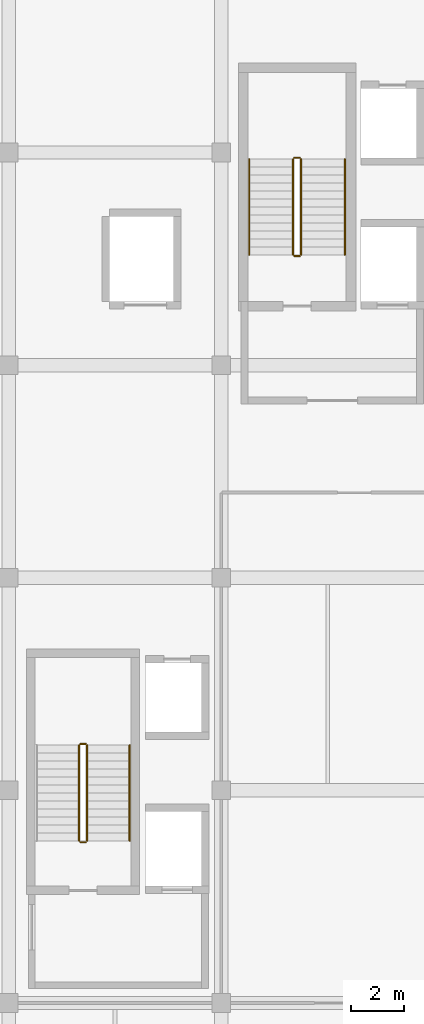
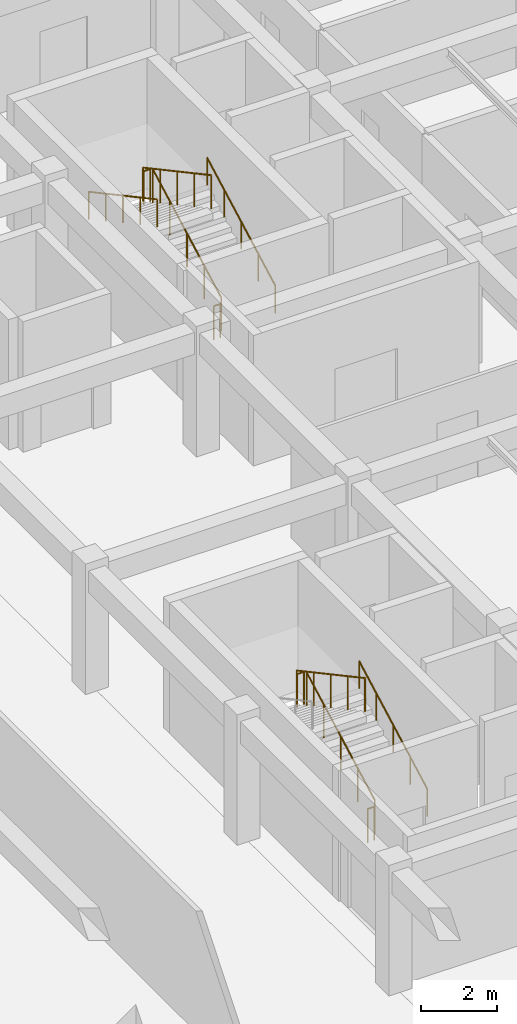
# One storey, part 65 of 67: 11 railings.
"""IFC4 building model written with IfcOpenShell, lengths in metres."""

from ifc_helpers import new_model, si_unit, direction, frame, origin, origin_2d, place, context, subcontext, project, spatial, circle, extrude, material, type_object, element, save


model = new_model("IFC4")

# Units and contexts
model_context = context("Model", 3, precision=1e-05, world=origin(), true_north=direction((0.0, 1.0)))
body_context = subcontext(model_context, "Body", "Model", "MODEL_VIEW")
ifc_project = project(units=[si_unit("LENGTHUNIT", "METRE"), si_unit("AREAUNIT", "SQUARE_METRE"), si_unit("VOLUMEUNIT", "CUBIC_METRE"), si_unit("PLANEANGLEUNIT", "RADIAN"), si_unit("MASSUNIT", "GRAM", prefix="KILO")], contexts=[model_context])

# Site, building, storey
site_placement = place(None, origin())
site = spatial("IfcSite", under=ifc_project, at=site_placement, CompositionType="ELEMENT")
building_placement = place(site_placement, origin())
building = spatial("IfcBuilding", under=site, at=building_placement, Name="Kenh Van Central Station", CompositionType="ELEMENT")
storey_placement = place(building_placement, frame((0.0, 0.0, 10.800048828125)))
storey = spatial("IfcBuildingStorey", under=building, at=storey_placement, Name="L02", CompositionType="ELEMENT", Elevation=10.800048828125)

# Railings
ifc_material = material(Name="Champagne anodised aluminium", Category="aluminium")
railing_type_1 = type_object("IfcRailingType", Name="RAIL-CORE-GRD110", PredefinedType="GUARDRAIL", material=ifc_material)
railing_1_placement = place(storey_placement, frame((154.949951171875, 30.10009765625, 0.161376953125)))
element("IfcRailing", 1, at=railing_1_placement, inside=storey, type_object=railing_type_1, Name="L02 ST-09 stair guard 1", PredefinedType="GUARDRAIL", context=body_context, shape_type="SweptSolid", body=[
    extrude(circle(Radius=0.02392578125, at=origin_2d()), frame((0.0, 0.0, 1.076171875), z_axis=(0.0, 0.880461512865, 0.474117627138), x_axis=(-1.0, 0.0, 0.0)), (0.0, 0.0, 1.0), 4.088623046875),
    extrude(circle(Radius=0.02099609375, at=origin_2d()), origin(), (0.0, 0.0, 1.0), 1.052001953125),
    extrude(circle(Radius=0.02099609375, at=origin_2d()), frame((0.0, 0.89990234375, 0.484619140625)), (0.0, 0.0, 1.0), 1.052001953125),
    extrude(circle(Radius=0.02099609375, at=origin_2d()), frame((0.0, 1.7998046875, 0.96923828125)), (0.0, 0.0, 1.0), 1.052001953125),
    extrude(circle(Radius=0.02099609375, at=origin_2d()), frame((0.0, 2.699951171875, 1.453857421875)), (0.0, 0.0, 1.0), 1.052001953125),
    extrude(circle(Radius=0.02099609375, at=origin_2d()), frame((0.0, 3.599853515625, 1.9384765625)), (0.0, 0.0, 1.0), 1.052001953125),
])
railing_2_placement = place(storey_placement, frame((154.89990234375, 33.75, 2.099853515625)))
element("IfcRailing", 2, at=railing_2_placement, inside=storey, type_object=railing_type_1, Name="L02 ST-09 stair guard 2", PredefinedType="GUARDRAIL", context=body_context, shape_type="SweptSolid", body=[
    extrude(circle(Radius=0.02392578125, at=origin_2d()), frame((0.0, 0.0, 1.076171875), z_axis=(-1.0, 0.0, 0.0), x_axis=(0.0, -1.0, 0.0)), (0.0, 0.0, 1.0), 0.199951171875),
    extrude(circle(Radius=0.02099609375, at=origin_2d()), origin(), (0.0, 0.0, 1.0), 1.052001953125),
    extrude(circle(Radius=0.02099609375, at=origin_2d()), frame((-0.199951171875, 0.0, 0.0)), (0.0, 0.0, 1.0), 1.052001953125),
])
railing_3_placement = place(storey_placement, frame((154.64990234375, 33.699951171875, 2.261474609375)))
element("IfcRailing", 3, at=railing_3_placement, inside=storey, type_object=railing_type_1, Name="L02 ST-09 stair guard 3", PredefinedType="GUARDRAIL", context=body_context, shape_type="SweptSolid", body=[
    extrude(circle(Radius=0.02392578125, at=origin_2d()), frame((0.0, 0.0, 1.076171875), z_axis=(0.0, -0.880461512865, 0.474117627138), x_axis=(1.0, 0.0, 0.0)), (0.0, 0.0, 1.0), 4.088623046875),
    extrude(circle(Radius=0.02099609375, at=origin_2d()), origin(), (0.0, 0.0, 1.0), 1.052001953125),
    extrude(circle(Radius=0.02099609375, at=origin_2d()), frame((0.0, -0.89990234375, 0.484619140625)), (0.0, 0.0, 1.0), 1.052001953125),
    extrude(circle(Radius=0.02099609375, at=origin_2d()), frame((0.0, -1.7998046875, 0.96923828125)), (0.0, 0.0, 1.0), 1.052001953125),
    extrude(circle(Radius=0.02099609375, at=origin_2d()), frame((0.0, -2.699951171875, 1.453857421875)), (0.0, 0.0, 1.0), 1.052001953125),
    extrude(circle(Radius=0.02099609375, at=origin_2d()), frame((0.0, -3.599853515625, 1.9384765625)), (0.0, 0.0, 1.0), 1.052001953125),
])
railing_4_placement = place(storey_placement, frame((154.89990234375, 30.050048828125, 0.0)))
element("IfcRailing", 4, at=railing_4_placement, inside=storey, type_object=railing_type_1, Name="L02 ST-09 stair guard 4", PredefinedType="GUARDRAIL", context=body_context, shape_type="SweptSolid", body=[
    extrude(circle(Radius=0.02392578125, at=origin_2d()), frame((0.0, 0.0, 1.076171875), z_axis=(-1.0, 0.0, 0.0), x_axis=(0.0, -1.0, 0.0)), (0.0, 0.0, 1.0), 0.199951171875),
    extrude(circle(Radius=0.02099609375, at=origin_2d()), origin(), (0.0, 0.0, 1.0), 1.052001953125),
    extrude(circle(Radius=0.02099609375, at=origin_2d()), frame((-0.199951171875, 0.0, 0.0)), (0.0, 0.0, 1.0), 1.052001953125),
])
railing_5_placement = place(storey_placement, frame((163.0, 52.14990234375, 0.161376953125)))
element("IfcRailing", 5, at=railing_5_placement, inside=storey, type_object=railing_type_1, Name="L02 ST-10 stair guard 1", PredefinedType="GUARDRAIL", context=body_context, shape_type="SweptSolid", body=[
    extrude(circle(Radius=0.02392578125, at=origin_2d()), frame((0.0, 0.0, 1.076171875), z_axis=(0.0, 0.880474934443, 0.474092701714), x_axis=(-1.0, 0.0, 0.0)), (0.0, 0.0, 1.0), 4.0888671875),
    extrude(circle(Radius=0.02099609375, at=origin_2d()), origin(), (0.0, 0.0, 1.0), 1.052001953125),
    extrude(circle(Radius=0.02099609375, at=origin_2d()), frame((0.0, 0.89990234375, 0.484619140625)), (0.0, 0.0, 1.0), 1.052001953125),
    extrude(circle(Radius=0.02099609375, at=origin_2d()), frame((0.0, 1.800048828125, 0.96923828125)), (0.0, 0.0, 1.0), 1.052001953125),
    extrude(circle(Radius=0.02099609375, at=origin_2d()), frame((0.0, 2.7001953125, 1.453857421875)), (0.0, 0.0, 1.0), 1.052001953125),
    extrude(circle(Radius=0.02099609375, at=origin_2d()), frame((0.0, 3.60009765625, 1.9384765625)), (0.0, 0.0, 1.0), 1.052001953125),
])
railing_6_placement = place(storey_placement, frame((162.949951171875, 55.800048828125, 2.099853515625)))
element("IfcRailing", 6, at=railing_6_placement, inside=storey, type_object=railing_type_1, Name="L02 ST-10 stair guard 2", PredefinedType="GUARDRAIL", context=body_context, shape_type="SweptSolid", body=[
    extrude(circle(Radius=0.02392578125, at=origin_2d()), frame((0.0, 0.0, 1.076171875), z_axis=(-1.0, 0.0, 0.0), x_axis=(0.0, -1.0, 0.0)), (0.0, 0.0, 1.0), 0.199951171875),
    extrude(circle(Radius=0.02099609375, at=origin_2d()), origin(), (0.0, 0.0, 1.0), 1.052001953125),
    extrude(circle(Radius=0.02099609375, at=origin_2d()), frame((-0.199951171875, 0.0, 0.0)), (0.0, 0.0, 1.0), 1.052001953125),
])
railing_7_placement = place(storey_placement, frame((162.699951171875, 55.75, 2.261474609375)))
element("IfcRailing", 7, at=railing_7_placement, inside=storey, type_object=railing_type_1, Name="L02 ST-10 stair guard 3", PredefinedType="GUARDRAIL", context=body_context, shape_type="SweptSolid", body=[
    extrude(circle(Radius=0.02392578125, at=origin_2d()), frame((0.0, 0.0, 1.076171875), z_axis=(0.0, -0.880474934443, 0.474092701714), x_axis=(1.0, 0.0, 0.0)), (0.0, 0.0, 1.0), 4.0888671875),
    extrude(circle(Radius=0.02099609375, at=origin_2d()), origin(), (0.0, 0.0, 1.0), 1.052001953125),
    extrude(circle(Radius=0.02099609375, at=origin_2d()), frame((0.0, -0.89990234375, 0.484619140625)), (0.0, 0.0, 1.0), 1.052001953125),
    extrude(circle(Radius=0.02099609375, at=origin_2d()), frame((0.0, -1.800048828125, 0.96923828125)), (0.0, 0.0, 1.0), 1.052001953125),
    extrude(circle(Radius=0.02099609375, at=origin_2d()), frame((0.0, -2.7001953125, 1.453857421875)), (0.0, 0.0, 1.0), 1.052001953125),
    extrude(circle(Radius=0.02099609375, at=origin_2d()), frame((0.0, -3.60009765625, 1.9384765625)), (0.0, 0.0, 1.0), 1.052001953125),
])
railing_8_placement = place(storey_placement, frame((162.949951171875, 52.10009765625, 0.0)))
element("IfcRailing", 8, at=railing_8_placement, inside=storey, type_object=railing_type_1, Name="L02 ST-10 stair guard 4", PredefinedType="GUARDRAIL", context=body_context, shape_type="SweptSolid", body=[
    extrude(circle(Radius=0.02392578125, at=origin_2d()), frame((0.0, 0.0, 1.076171875), z_axis=(-1.0, 0.0, 0.0), x_axis=(0.0, -1.0, 0.0)), (0.0, 0.0, 1.0), 0.199951171875),
    extrude(circle(Radius=0.02099609375, at=origin_2d()), origin(), (0.0, 0.0, 1.0), 1.052001953125),
    extrude(circle(Radius=0.02099609375, at=origin_2d()), frame((-0.199951171875, 0.0, 0.0)), (0.0, 0.0, 1.0), 1.052001953125),
])
railing_type_2 = type_object("IfcRailingType", Name="RAIL-CORE-HND90", PredefinedType="HANDRAIL", material=ifc_material)
railing_9_placement = place(storey_placement, frame((156.550048828125, 30.10009765625, 0.161376953125)))
element("IfcRailing", 9, at=railing_9_placement, inside=storey, type_object=railing_type_2, Name="L02 ST-09 stair handrail 1", PredefinedType="HANDRAIL", context=body_context, shape_type="SweptSolid", body=[
    extrude(circle(Radius=0.02392578125, at=origin_2d()), frame((0.0, 0.0, 0.8759765625), z_axis=(0.0, 0.880461512865, 0.474117627138), x_axis=(-1.0, 0.0, 0.0)), (0.0, 0.0, 1.0), 4.088623046875),
    extrude(circle(Radius=0.02099609375, at=origin_2d()), origin(), (0.0, 0.0, 1.0), 0.851806640625),
    extrude(circle(Radius=0.02099609375, at=origin_2d()), frame((0.0, 0.89990234375, 0.484619140625)), (0.0, 0.0, 1.0), 0.851806640625),
    extrude(circle(Radius=0.02099609375, at=origin_2d()), frame((0.0, 1.7998046875, 0.96923828125)), (0.0, 0.0, 1.0), 0.851806640625),
    extrude(circle(Radius=0.02099609375, at=origin_2d()), frame((0.0, 2.699951171875, 1.453857421875)), (0.0, 0.0, 1.0), 0.851806640625),
    extrude(circle(Radius=0.02099609375, at=origin_2d()), frame((0.0, 3.599853515625, 1.9384765625)), (0.0, 0.0, 1.0), 0.851806640625),
])
railing_10_placement = place(storey_placement, frame((164.64990234375, 52.14990234375, 0.161376953125)))
element("IfcRailing", 10, at=railing_10_placement, inside=storey, type_object=railing_type_2, Name="L02 ST-10 stair handrail 1", PredefinedType="HANDRAIL", context=body_context, shape_type="SweptSolid", body=[
    extrude(circle(Radius=0.02392578125, at=origin_2d()), frame((0.0, 0.0, 0.8759765625), z_axis=(0.0, 0.880474934443, 0.474092701714), x_axis=(-1.0, 0.0, 0.0)), (0.0, 0.0, 1.0), 4.0888671875),
    extrude(circle(Radius=0.02099609375, at=origin_2d()), origin(), (0.0, 0.0, 1.0), 0.851806640625),
    extrude(circle(Radius=0.02099609375, at=origin_2d()), frame((0.0, 0.89990234375, 0.484619140625)), (0.0, 0.0, 1.0), 0.851806640625),
    extrude(circle(Radius=0.02099609375, at=origin_2d()), frame((0.0, 1.800048828125, 0.96923828125)), (0.0, 0.0, 1.0), 0.851806640625),
    extrude(circle(Radius=0.02099609375, at=origin_2d()), frame((0.0, 2.7001953125, 1.453857421875)), (0.0, 0.0, 1.0), 0.851806640625),
    extrude(circle(Radius=0.02099609375, at=origin_2d()), frame((0.0, 3.60009765625, 1.9384765625)), (0.0, 0.0, 1.0), 0.851806640625),
])
railing_11_placement = place(storey_placement, frame((161.050048828125, 55.75, 2.261474609375)))
element("IfcRailing", 11, at=railing_11_placement, inside=storey, type_object=railing_type_2, Name="L02 ST-10 stair handrail 2", PredefinedType="HANDRAIL", context=body_context, shape_type="SweptSolid", body=[
    extrude(circle(Radius=0.02392578125, at=origin_2d()), frame((0.0, 0.0, 0.8759765625), z_axis=(0.0, -0.880474934443, 0.474092701714), x_axis=(1.0, 0.0, 0.0)), (0.0, 0.0, 1.0), 4.0888671875),
    extrude(circle(Radius=0.02099609375, at=origin_2d()), origin(), (0.0, 0.0, 1.0), 0.851806640625),
    extrude(circle(Radius=0.02099609375, at=origin_2d()), frame((0.0, -0.89990234375, 0.484619140625)), (0.0, 0.0, 1.0), 0.851806640625),
    extrude(circle(Radius=0.02099609375, at=origin_2d()), frame((0.0, -1.800048828125, 0.96923828125)), (0.0, 0.0, 1.0), 0.851806640625),
    extrude(circle(Radius=0.02099609375, at=origin_2d()), frame((0.0, -2.7001953125, 1.453857421875)), (0.0, 0.0, 1.0), 0.851806640625),
    extrude(circle(Radius=0.02099609375, at=origin_2d()), frame((0.0, -3.60009765625, 1.9384765625)), (0.0, 0.0, 1.0), 0.851806640625),
])

save(model, "model.ifc")
